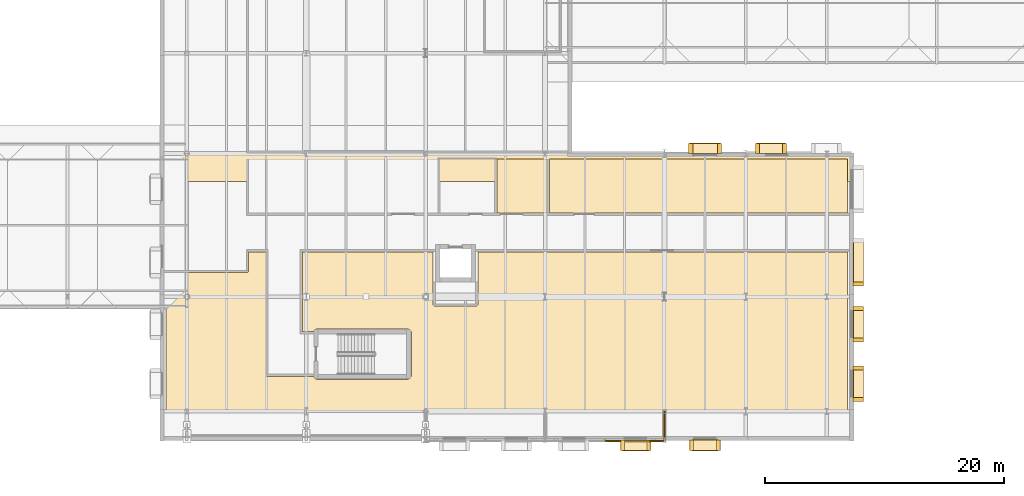
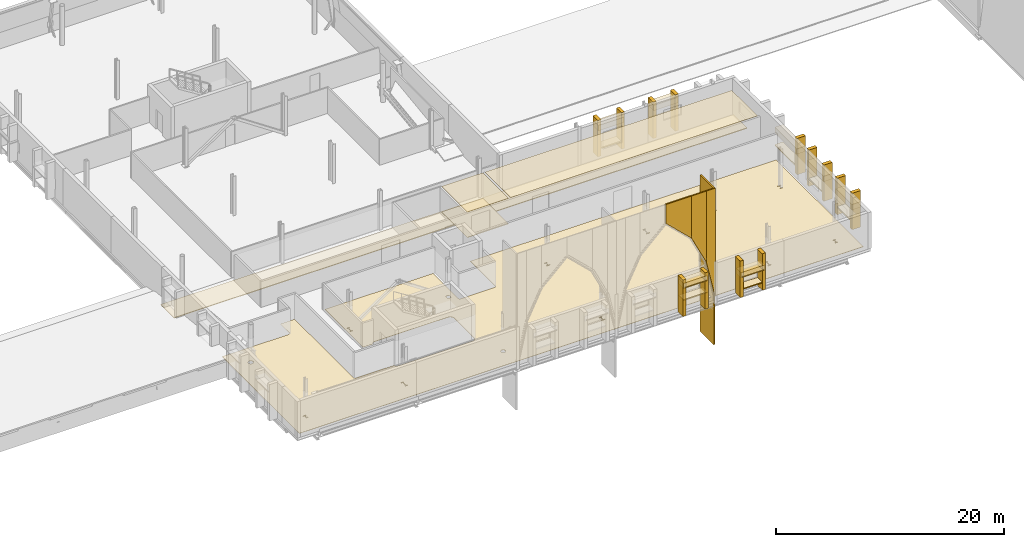
# One storey, part 87 of 90: 36 coverings, 2 shading devices.
"""IFC4 building model written with IfcOpenShell, lengths in metres."""

from ifc_helpers import new_model, si_unit, direction, frame, origin, origin_2d, place, context, subcontext, project, spatial, polyline, rectangle, outline, extrude, material, layer, layer_set, type_object, element, save


model = new_model("IFC4")

# Units and contexts
model_context = context("Model", 3, precision=1e-05, world=origin(), true_north=direction((0.0, 1.0)))
body_context = subcontext(model_context, "Body", "Model", "MODEL_VIEW")
ifc_project = project(units=[si_unit("LENGTHUNIT", "METRE"), si_unit("AREAUNIT", "SQUARE_METRE"), si_unit("VOLUMEUNIT", "CUBIC_METRE"), si_unit("PLANEANGLEUNIT", "RADIAN"), si_unit("MASSUNIT", "GRAM", prefix="KILO")], contexts=[model_context])

# Site, building, storey
site_placement = place(None, origin())
site = spatial("IfcSite", under=ifc_project, at=site_placement, CompositionType="ELEMENT")
building_placement = place(site_placement, origin())
building = spatial("IfcBuilding", under=site, at=building_placement, Name="Zereglee Splitstone Museum", CompositionType="ELEMENT")
storey_placement = place(building_placement, frame((0.0, 0.0, 4.800048828125)))
storey = spatial("IfcBuildingStorey", under=building, at=storey_placement, Name="L01", CompositionType="ELEMENT", Elevation=4.800048828125)

# Coverings
ifc_material_1 = material(Name="Perforated acoustic gypsum board ceiling", Category="masonry")
ifc_layer_1 = layer(ifc_material_1, 0.044921875)
ifc_layer_set_1 = layer_set([ifc_layer_1], Name="Perforated acoustic gypsum board ceiling")
covering_type_1 = type_object("IfcCoveringType", Name="CLG-02", PredefinedType="CEILING", material=ifc_layer_set_1)
covering_1_placement = place(storey_placement, frame((0.0, 0.0, 2.71484375)))
element("IfcCovering", 1, at=covering_1_placement, inside=storey, type_object=covering_type_1, Name="Acoustic Ceiling L01-031", PredefinedType="CEILING", context=body_context, shape_type="SweptSolid", body=[
    extrude(outline(polyline([(205.56005859375, 21.139892578125), (230.5400390625, 21.139892578125), (230.5400390625, 16.6298828125), (205.56005859375, 16.6298828125), (205.56005859375, 21.139892578125)])), origin(), (0.0, 0.0, 1.0), 0.045166015625),
])
ifc_material_2 = material(Name="Siberian larch acoustic timber ceiling", Category="wood")
ifc_layer_2 = layer(ifc_material_2, 0.06005859375)
ifc_layer_set_2 = layer_set([ifc_layer_2], Name="Siberian larch acoustic timber ceiling")
covering_type_2 = type_object("IfcCoveringType", Name="CLG-01", PredefinedType="CEILING", material=ifc_layer_set_2)
covering_2_placement = place(storey_placement, frame((0.0, 0.0, 2.699951171875)))
element("IfcCovering", 2, at=covering_2_placement, inside=storey, type_object=covering_type_2, Name="Acoustic Ceiling L01-030", PredefinedType="CEILING", context=body_context, shape_type="SweptSolid", body=[
    extrude(outline(polyline([(201.179931640625, 21.139892578125), (205.360107421875, 21.139892578125), (205.360107421875, 16.6298828125), (201.179931640625, 16.6298828125), (201.179931640625, 21.139892578125)])), origin(), (0.0, 0.0, 1.0), 0.06005859375),
])
ifc_material_3 = material(Name="Honed Gobi pale limestone stringcourse and soffit cladding", Category="masonry")
ifc_layer_3 = layer(ifc_material_3, 0.070068359375)
ifc_layer_set_3 = layer_set([ifc_layer_3], Name="Honed Gobi pale limestone stringcourse and soffit cladding")
covering_type_3 = type_object("IfcCoveringType", Name="CL-02", PredefinedType="CLADDING", material=ifc_layer_set_3)
for number, where, z_axis, x_axis, name in (
    (3, (211.669921875, -2.824951171875, 0.0), (0.0, 0.0, 1.0), (1.0, 0.0, 0.0), "Mughal Window Reveal Stone Pilaster L01-0008L"),
    (4, (213.909912109375, -2.824951171875, 0.0), (0.0, 0.0, 1.0), (1.0, 0.0, 0.0), "Mughal Window Reveal Stone Pilaster L01-0008R"),
):
    element("IfcCovering", number, at=place(storey_placement, frame(where, z_axis=z_axis, x_axis=x_axis)), inside=storey, type_object=covering_type_3, Name=name, PredefinedType="CLADDING", context=body_context, shape_type="SweptSolid", body=[
        extrude(rectangle(XDim=0.340087890625, YDim=0.860107421875, at=origin_2d()), origin(), (0.0, 0.0, 1.0), 3.89990234375),
    ])
covering_3_placement = place(storey_placement, frame((212.7900390625, -2.8349609375, 1.659912109375), z_axis=(0.0, 0.0, 1.0), x_axis=(1.0, 0.0, 0.0)))
element("IfcCovering", 5, at=covering_3_placement, inside=storey, type_object=covering_type_3, Name="Carved Limestone Window Sill L01-0008", PredefinedType="CLADDING", context=body_context, shape_type="SweptSolid", body=[
    extrude(rectangle(XDim=2.43994140625, YDim=0.840087890625, at=origin_2d()), origin(), (0.0, 0.0, 1.0), 0.1201171875),
])
for number, where, z_axis, x_axis, name in (
    (6, (217.47998046875, -2.824951171875, 0.0), (0.0, 0.0, 1.0), (1.0, 0.0, 0.0), "Mughal Window Reveal Stone Pilaster L01-0009L"),
    (7, (219.719970703125, -2.824951171875, 0.0), (0.0, 0.0, 1.0), (1.0, 0.0, 0.0), "Mughal Window Reveal Stone Pilaster L01-0009R"),
):
    element("IfcCovering", number, at=place(storey_placement, frame(where, z_axis=z_axis, x_axis=x_axis)), inside=storey, type_object=covering_type_3, Name=name, PredefinedType="CLADDING", context=body_context, shape_type="SweptSolid", body=[
        extrude(rectangle(XDim=0.340087890625, YDim=0.860107421875, at=origin_2d()), origin(), (0.0, 0.0, 1.0), 3.89990234375),
    ])
covering_4_placement = place(storey_placement, frame((218.60009765625, -2.8349609375, 0.760009765625), z_axis=(0.0, 0.0, 1.0), x_axis=(1.0, 0.0, 0.0)))
element("IfcCovering", 8, at=covering_4_placement, inside=storey, type_object=covering_type_3, Name="Carved Limestone Window Sill L01-0009", PredefinedType="CLADDING", context=body_context, shape_type="SweptSolid", body=[
    extrude(rectangle(XDim=2.43994140625, YDim=0.840087890625, at=origin_2d()), origin(), (0.0, 0.0, 1.0), 0.1201171875),
])
for number, where, z_axis, x_axis, name in (
    (9, (231.425048828125, 0.989990234375, 0.0), (0.0, 0.0, 1.0), (0.0, 1.0, 0.0), "Mughal Window Reveal Stone Pilaster L01-0010L"),
    (10, (231.425048828125, 3.6298828125, 0.0), (0.0, 0.0, 1.0), (0.0, 1.0, 0.0), "Mughal Window Reveal Stone Pilaster L01-0010R"),
):
    element("IfcCovering", number, at=place(storey_placement, frame(where, z_axis=z_axis, x_axis=x_axis)), inside=storey, type_object=covering_type_3, Name=name, PredefinedType="CLADDING", context=body_context, shape_type="SweptSolid", body=[
        extrude(rectangle(XDim=0.340087890625, YDim=0.860107421875, at=origin_2d()), origin(), (0.0, 0.0, 1.0), 3.89990234375),
    ])
covering_5_placement = place(storey_placement, frame((231.43505859375, 2.31005859375, 0.760009765625), z_axis=(0.0, 0.0, 1.0), x_axis=(0.0, 1.0, 0.0)))
element("IfcCovering", 11, at=covering_5_placement, inside=storey, type_object=covering_type_3, Name="Carved Limestone Window Sill L01-0010", PredefinedType="CLADDING", context=body_context, shape_type="SweptSolid", body=[
    extrude(rectangle(XDim=2.840087890625, YDim=0.840087890625, at=origin_2d()), origin(), (0.0, 0.0, 1.0), 0.1201171875),
])
for number, where, z_axis, x_axis, name in (
    (12, (231.425048828125, 5.969970703125, 0.0), (0.0, 0.0, 1.0), (0.0, 1.0, 0.0), "Mughal Window Reveal Stone Pilaster L01-0011L"),
    (13, (231.425048828125, 8.610107421875, 0.0), (0.0, 0.0, 1.0), (0.0, 1.0, 0.0), "Mughal Window Reveal Stone Pilaster L01-0011R"),
):
    element("IfcCovering", number, at=place(storey_placement, frame(where, z_axis=z_axis, x_axis=x_axis)), inside=storey, type_object=covering_type_3, Name=name, PredefinedType="CLADDING", context=body_context, shape_type="SweptSolid", body=[
        extrude(rectangle(XDim=0.340087890625, YDim=0.860107421875, at=origin_2d()), origin(), (0.0, 0.0, 1.0), 3.89990234375),
    ])
covering_6_placement = place(storey_placement, frame((231.43505859375, 7.2900390625, 0.760009765625), z_axis=(0.0, 0.0, 1.0), x_axis=(0.0, 1.0, 0.0)))
element("IfcCovering", 14, at=covering_6_placement, inside=storey, type_object=covering_type_3, Name="Carved Limestone Window Sill L01-0011", PredefinedType="CLADDING", context=body_context, shape_type="SweptSolid", body=[
    extrude(rectangle(XDim=2.840087890625, YDim=0.840087890625, at=origin_2d()), origin(), (0.0, 0.0, 1.0), 0.1201171875),
])
covering_7_placement = place(storey_placement, frame((231.425048828125, 10.659912109375, 0.0), z_axis=(0.0, 0.0, 1.0), x_axis=(0.0, 1.0, 0.0)))
element("IfcCovering", 15, at=covering_7_placement, inside=storey, type_object=covering_type_3, Name="Mughal Window Reveal Stone Pilaster L01-0012L", PredefinedType="CLADDING", context=body_context, shape_type="SweptSolid", body=[
    extrude(rectangle(XDim=0.340087890625, YDim=0.860107421875, at=origin_2d()), origin(), (0.0, 0.0, 1.0), 3.89990234375),
])
covering_8_placement = place(storey_placement, frame((231.43505859375, 12.47998046875, 0.760009765625), z_axis=(0.0, 0.0, 1.0), x_axis=(0.0, 1.0, 0.0)))
element("IfcCovering", 16, at=covering_8_placement, inside=storey, type_object=covering_type_3, Name="Carved Limestone Window Sill L01-0012", PredefinedType="CLADDING", context=body_context, shape_type="SweptSolid", body=[
    extrude(rectangle(XDim=3.840087890625, YDim=0.840087890625, at=origin_2d()), origin(), (0.0, 0.0, 1.0), 0.1201171875),
])
for number, where, z_axis, x_axis, name in (
    (17, (225.25, 22.02490234375, 0.0), (0.0, 0.0, 1.0), (-1.0, 0.0, 0.0), "Mughal Window Reveal Stone Pilaster L01-0015L"),
    (18, (223.010009765625, 22.02490234375, 0.0), (0.0, 0.0, 1.0), (-1.0, 0.0, 0.0), "Mughal Window Reveal Stone Pilaster L01-0015R"),
):
    element("IfcCovering", number, at=place(storey_placement, frame(where, z_axis=z_axis, x_axis=x_axis)), inside=storey, type_object=covering_type_3, Name=name, PredefinedType="CLADDING", context=body_context, shape_type="SweptSolid", body=[
        extrude(rectangle(XDim=0.340087890625, YDim=0.860107421875, at=origin_2d()), origin(), (0.0, 0.0, 1.0), 3.89990234375),
    ])
covering_9_placement = place(storey_placement, frame((224.1298828125, 22.034912109375, 1.659912109375), z_axis=(0.0, 0.0, 1.0), x_axis=(-1.0, 0.0, 0.0)))
element("IfcCovering", 19, at=covering_9_placement, inside=storey, type_object=covering_type_3, Name="Carved Limestone Window Sill L01-0015", PredefinedType="CLADDING", context=body_context, shape_type="SweptSolid", body=[
    extrude(rectangle(XDim=2.43994140625, YDim=0.840087890625, at=origin_2d()), origin(), (0.0, 0.0, 1.0), 0.1201171875),
])
for number, where, z_axis, x_axis, name in (
    (20, (219.794921875, 22.02490234375, 0.0), (0.0, 0.0, 1.0), (-1.0, 0.0, 0.0), "Mughal Window Reveal Stone Pilaster L01-0016L"),
    (21, (217.405029296875, 22.02490234375, 0.0), (0.0, 0.0, 1.0), (-1.0, 0.0, 0.0), "Mughal Window Reveal Stone Pilaster L01-0016R"),
):
    element("IfcCovering", number, at=place(storey_placement, frame(where, z_axis=z_axis, x_axis=x_axis)), inside=storey, type_object=covering_type_3, Name=name, PredefinedType="CLADDING", context=body_context, shape_type="SweptSolid", body=[
        extrude(rectangle(XDim=0.340087890625, YDim=0.860107421875, at=origin_2d()), origin(), (0.0, 0.0, 1.0), 3.89990234375),
    ])
covering_10_placement = place(storey_placement, frame((218.60009765625, 22.034912109375, 0.760009765625), z_axis=(0.0, 0.0, 1.0), x_axis=(-1.0, 0.0, 0.0)))
element("IfcCovering", 22, at=covering_10_placement, inside=storey, type_object=covering_type_3, Name="Carved Limestone Window Sill L01-0016", PredefinedType="CLADDING", context=body_context, shape_type="SweptSolid", body=[
    extrude(rectangle(XDim=2.590087890625, YDim=0.840087890625, at=origin_2d()), origin(), (0.0, 0.0, 1.0), 0.1201171875),
])
covering_11_placement = place(storey_placement, frame((0.0, 0.0, -0.35009765625)))
element("IfcCovering", 23, at=covering_11_placement, inside=storey, type_object=covering_type_3, Name="Hovering Stone Plinth Soffit Apron 008", PredefinedType="CLADDING", context=body_context, shape_type="SweptSolid", body=[
    extrude(outline(polyline([(173.0, 19.25), (231.0, 19.25), (231.0, 21.60009765625), (173.0, 21.60009765625), (173.0, 19.25)])), origin(), (0.0, 0.0, 1.0), 0.070068359375),
])
covering_12_placement = place(storey_placement, frame((0.0, 0.0, -4.800048828125)))
element("IfcCovering", 24, at=covering_12_placement, inside=storey, type_object=covering_type_3, Name="Mughal Iwan Stone Cheek Return PSQ-SV3-2", PredefinedType="CLADDING", context=body_context, shape_type="SweptSolid", body=[
    extrude(outline(polyline([(215.1298828125, -2.39990234375), (215.27001953125, -2.39990234375), (215.27001953125, 0.0), (215.1298828125, 0.0), (215.1298828125, -2.39990234375)])), origin(), (0.0, 0.0, 1.0), 16.72509765625),
])
ifc_material_4 = material(Name="Honed Khoroo red sandstone ventilated rainscreen", Category="masonry")
ifc_layer_4 = layer(ifc_material_4, 0.080078125)
ifc_layer_set_4 = layer_set([ifc_layer_4], Name="Honed Khoroo red sandstone ventilated rainscreen")
covering_type_4 = type_object("IfcCoveringType", Name="CL-01", PredefinedType="CLADDING", material=ifc_layer_set_4)
for number, where, z_axis, x_axis, name in (
    (25, (212.7900390625, -2.8349609375, 2.9599609375), (0.0, 0.0, 1.0), (1.0, 0.0, 0.0), "Pointed-Arch Mughal Window Hood L01-0008"),
    (26, (218.60009765625, -2.8349609375, 2.059814453125), (0.0, 0.0, 1.0), (1.0, 0.0, 0.0), "Pointed-Arch Mughal Window Hood L01-0009"),
):
    element("IfcCovering", number, at=place(storey_placement, frame(where, z_axis=z_axis, x_axis=x_axis)), inside=storey, type_object=covering_type_4, Name=name, PredefinedType="CLADDING", context=body_context, shape_type="SweptSolid", body=[
        extrude(rectangle(XDim=2.43994140625, YDim=0.860107421875, at=origin_2d()), origin(), (0.0, 0.0, 1.0), 0.580078125),
    ])
for number, where, z_axis, x_axis, name in (
    (27, (231.43505859375, 2.31005859375, 2.059814453125), (0.0, 0.0, 1.0), (0.0, 1.0, 0.0), "Pointed-Arch Mughal Window Hood L01-0010"),
    (28, (231.43505859375, 7.2900390625, 2.059814453125), (0.0, 0.0, 1.0), (0.0, 1.0, 0.0), "Pointed-Arch Mughal Window Hood L01-0011"),
):
    element("IfcCovering", number, at=place(storey_placement, frame(where, z_axis=z_axis, x_axis=x_axis)), inside=storey, type_object=covering_type_4, Name=name, PredefinedType="CLADDING", context=body_context, shape_type="SweptSolid", body=[
        extrude(rectangle(XDim=2.840087890625, YDim=0.860107421875, at=origin_2d()), origin(), (0.0, 0.0, 1.0), 0.580078125),
    ])
covering_13_placement = place(storey_placement, frame((231.43505859375, 12.47998046875, 2.159912109375), z_axis=(0.0, 0.0, 1.0), x_axis=(0.0, 1.0, 0.0)))
element("IfcCovering", 29, at=covering_13_placement, inside=storey, type_object=covering_type_4, Name="Pointed-Arch Mughal Window Hood L01-0012", PredefinedType="CLADDING", context=body_context, shape_type="SweptSolid", body=[
    extrude(rectangle(XDim=3.840087890625, YDim=0.860107421875, at=origin_2d()), origin(), (0.0, 0.0, 1.0), 0.580078125),
])
covering_14_placement = place(storey_placement, frame((224.1298828125, 22.034912109375, 2.9599609375), z_axis=(0.0, 0.0, 1.0), x_axis=(-1.0, 0.0, 0.0)))
element("IfcCovering", 30, at=covering_14_placement, inside=storey, type_object=covering_type_4, Name="Pointed-Arch Mughal Window Hood L01-0015", PredefinedType="CLADDING", context=body_context, shape_type="SweptSolid", body=[
    extrude(rectangle(XDim=2.43994140625, YDim=0.860107421875, at=origin_2d()), origin(), (0.0, 0.0, 1.0), 0.580078125),
])
covering_15_placement = place(storey_placement, frame((218.60009765625, 22.034912109375, 2.760009765625), z_axis=(0.0, 0.0, 1.0), x_axis=(-1.0, 0.0, 0.0)))
element("IfcCovering", 31, at=covering_15_placement, inside=storey, type_object=covering_type_4, Name="Pointed-Arch Mughal Window Hood L01-0016", PredefinedType="CLADDING", context=body_context, shape_type="SweptSolid", body=[
    extrude(rectangle(XDim=2.590087890625, YDim=0.860107421875, at=origin_2d()), origin(), (0.0, 0.0, 1.0), 0.580078125),
])
covering_16_placement = place(storey_placement, frame((210.199951171875, -2.5400390625, 10.0), z_axis=(0.0, -1.0, 0.0), x_axis=(0.721387321031, 0.0, -0.69253182819)))
element("IfcCovering", 32, at=covering_16_placement, inside=storey, type_object=covering_type_4, Name="Mughal Pishtaq Pointed-Arch Stone Voussoir PSQ-SV3-2-4", PredefinedType="CLADDING", context=body_context, shape_type="SweptSolid", body=[
    extrude(outline(polyline([(0.0, 0.0), (3.6043018506814617, 0.0), (0.4803002419262521, 3.254168342453343), (-1.3953772407347915, 1.453517959098741), (0.0, 0.0)])), origin(), (0.0, 0.0, -1.0), 0.1201171875),
])
covering_17_placement = place(storey_placement, frame((212.800048828125, -2.5400390625, 7.50390625), z_axis=(0.0, -1.0, 0.0), x_axis=(0.438766908304, 0.0, -0.898600912629)))
element("IfcCovering", 33, at=covering_17_placement, inside=storey, type_object=covering_type_4, Name="Mughal Pishtaq Pointed-Arch Stone Voussoir PSQ-SV3-2-5", PredefinedType="CLADDING", context=body_context, shape_type="SweptSolid", body=[
    extrude(outline(polyline([(0.0, 0.0), (3.418671671930719, 0.0), (-3.3954260688527245, 3.327172893536794), (-4.05357643130894, 1.9792715245936683), (0.0, 0.0)])), origin(), (0.0, 0.0, -1.0), 0.1201171875),
])
covering_18_placement = place(storey_placement, frame((214.300048828125, -2.5400390625, 4.431884765625), z_axis=(0.0, -1.0, 0.0), x_axis=(0.217831420339, 0.0, -0.975986409902)))
element("IfcCovering", 34, at=covering_18_placement, inside=storey, type_object=covering_type_4, Name="Mughal Pishtaq Pointed-Arch Stone Voussoir PSQ-SV3-2-6", PredefinedType="CLADDING", context=body_context, shape_type="SweptSolid", body=[
    extrude(outline(polyline([(0.0, 0.0), (4.1311870544185885, 1.1102230246251565e-16), (-7.204885565474124, 2.530109819977265), (-7.400912571179562, 1.6518173622384416), (0.0, 0.0)])), origin(), (0.0, 0.0, -1.0), 0.1201171875),
])
ifc_material_5 = material(Name="Honed Gobi granite terrazzo flooring", Category="masonry")
ifc_layer_5 = layer(ifc_material_5, 0.030029296875)
ifc_layer_set_5 = layer_set([ifc_layer_5], Name="Honed Gobi granite terrazzo flooring")
covering_type_5 = type_object("IfcCoveringType", Name="FLR-01", PredefinedType="FLOORING", material=ifc_layer_set_5)
covering_19_placement = place(storey_placement, origin())
element("IfcCovering", 35, at=covering_19_placement, inside=storey, type_object=covering_type_5, Name="Terrazzo Gallery Flooring L01-017", PredefinedType="FLOORING", context=body_context, shape_type="SweptSolid", body=[
    extrude(outline(polyline([(184.8798828125, 13.3701171875), (195.820068359375, 13.3701171875), (195.820068359375, 9.0), (195.820068359375, 8.9990234375), (195.82080078125, 8.9833984375), (195.821044921875, 8.9814453125), (195.8232421875, 8.9658203125), (195.82373046875, 8.9638671875), (195.827392578125, 8.94873046875), (195.828125, 8.94677734375), (195.833251953125, 8.931884765625), (195.833984375, 8.93017578125), (195.8408203125, 8.916015625), (195.841796875, 8.914306640625), (195.849853515625, 8.90087890625), (195.850830078125, 8.899169921875), (195.8603515625, 8.88671875), (195.861572265625, 8.885009765625), (195.8720703125, 8.873291015625), (195.873291015625, 8.8720703125), (195.885009765625, 8.861572265625), (195.88671875, 8.8603515625), (195.899169921875, 8.850830078125), (195.90087890625, 8.849853515625), (195.914306640625, 8.841796875), (195.916015625, 8.8408203125), (195.93017578125, 8.833984375), (195.931884765625, 8.833251953125), (195.94677734375, 8.828125), (195.94873046875, 8.827392578125), (195.9638671875, 8.82373046875), (195.9658203125, 8.8232421875), (195.9814453125, 8.821044921875), (195.9833984375, 8.82080078125), (195.9990234375, 8.820068359375), (196.0, 8.820068359375), (199.39990234375, 8.820068359375), (199.40087890625, 8.820068359375), (199.416748046875, 8.82080078125), (199.418701171875, 8.821044921875), (199.43408203125, 8.8232421875), (199.43603515625, 8.82373046875), (199.451416015625, 8.827392578125), (199.453125, 8.828125), (199.468017578125, 8.833251953125), (199.4697265625, 8.833984375), (199.48388671875, 8.8408203125), (199.485595703125, 8.841796875), (199.499267578125, 8.849853515625), (199.500732421875, 8.850830078125), (199.513427734375, 8.8603515625), (199.514892578125, 8.861572265625), (199.526611328125, 8.8720703125), (199.528076171875, 8.873291015625), (199.53857421875, 8.885009765625), (199.539794921875, 8.88671875), (199.549072265625, 8.899169921875), (199.55029296875, 8.90087890625), (199.558349609375, 8.914306640625), (199.55908203125, 8.916015625), (199.56591796875, 8.93017578125), (199.566650390625, 8.931884765625), (199.572021484375, 8.94677734375), (199.572509765625, 8.94873046875), (199.576416015625, 8.9638671875), (199.57666015625, 8.9658203125), (199.5791015625, 8.9814453125), (199.5791015625, 8.9833984375), (199.580078125, 8.9990234375), (199.580078125, 9.0), (199.580078125, 13.3701171875), (230.5400390625, 13.3701171875), (230.5400390625, -1.93994140625), (173.4599609375, -1.93994140625), (173.4599609375, 11.6201171875), (180.199951171875, 11.6201171875), (180.200927734375, 11.6201171875), (180.216796875, 11.620849609375), (180.218505859375, 11.62109375), (180.234130859375, 11.623291015625), (180.236083984375, 11.623779296875), (180.251220703125, 11.62744140625), (180.253173828125, 11.628173828125), (180.26806640625, 11.63330078125), (180.269775390625, 11.634033203125), (180.283935546875, 11.640869140625), (180.28564453125, 11.6416015625), (180.29931640625, 11.64990234375), (180.30078125, 11.65087890625), (180.3134765625, 11.660400390625), (180.31494140625, 11.66162109375), (180.32666015625, 11.672119140625), (180.327880859375, 11.67333984375), (180.33837890625, 11.68505859375), (180.339599609375, 11.6865234375), (180.34912109375, 11.69921875), (180.35009765625, 11.70068359375), (180.3583984375, 11.71435546875), (180.359130859375, 11.716064453125), (180.365966796875, 11.730224609375), (180.36669921875, 11.73193359375), (180.371826171875, 11.746826171875), (180.37255859375, 11.748779296875), (180.376220703125, 11.763916015625), (180.376708984375, 11.765869140625), (180.37890625, 11.781494140625), (180.379150390625, 11.783203125), (180.3798828125, 11.799072265625), (180.3798828125, 11.800048828125), (180.3798828125, 13.3701171875), (181.820068359375, 13.3701171875), (181.820068359375, 3.10009765625), (181.820068359375, 3.09912109375), (181.82080078125, 3.083251953125), (181.821044921875, 3.081298828125), (181.8232421875, 3.06591796875), (181.82373046875, 3.06396484375), (181.827392578125, 3.048583984375), (181.828125, 3.046875), (181.833251953125, 3.031982421875), (181.833984375, 3.0302734375), (181.8408203125, 3.01611328125), (181.841796875, 3.014404296875), (181.849853515625, 3.000732421875), (181.850830078125, 2.999267578125), (181.8603515625, 2.986572265625), (181.861572265625, 2.985107421875), (181.8720703125, 2.973388671875), (181.873291015625, 2.971923828125), (181.885009765625, 2.96142578125), (181.88671875, 2.960205078125), (181.899169921875, 2.950927734375), (181.90087890625, 2.94970703125), (181.914306640625, 2.941650390625), (181.916015625, 2.94091796875), (181.93017578125, 2.93408203125), (181.931884765625, 2.933349609375), (181.94677734375, 2.927978515625), (181.94873046875, 2.927490234375), (181.9638671875, 2.923583984375), (181.9658203125, 2.92333984375), (181.9814453125, 2.9208984375), (181.9833984375, 2.9208984375), (181.9990234375, 2.919921875), (182.0, 2.919921875), (185.821044921875, 2.919921875), (185.82958984375, 2.902099609375), (185.850830078125, 2.86669921875), (185.875244140625, 2.83349609375), (185.903076171875, 2.802978515625), (185.93359375, 2.775390625), (185.966796875, 2.750732421875), (186.001953125, 2.7294921875), (186.039306640625, 2.7119140625), (186.078125, 2.697998046875), (186.1181640625, 2.68798828125), (186.15869140625, 2.681884765625), (186.199951171875, 2.679931640625), (193.60009765625, 2.679931640625), (193.64111328125, 2.681884765625), (193.681884765625, 2.68798828125), (193.721923828125, 2.697998046875), (193.7607421875, 2.7119140625), (193.798095703125, 2.7294921875), (193.833251953125, 2.750732421875), (193.866455078125, 2.775390625), (193.89697265625, 2.802978515625), (193.9248046875, 2.83349609375), (193.94921875, 2.86669921875), (193.970458984375, 2.902099609375), (193.988037109375, 2.939208984375), (194.001953125, 2.97802734375), (194.011962890625, 3.01806640625), (194.01806640625, 3.058837890625), (194.02001953125, 3.10009765625), (194.02001953125, 6.5), (194.01806640625, 6.541259765625), (194.011962890625, 6.581787109375), (194.001953125, 6.621826171875), (193.988037109375, 6.66064453125), (193.970458984375, 6.697998046875), (193.94921875, 6.7333984375), (193.9248046875, 6.766357421875), (193.89697265625, 6.797119140625), (193.866455078125, 6.82470703125), (193.833251953125, 6.84912109375), (193.798095703125, 6.870361328125), (193.7607421875, 6.887939453125), (193.721923828125, 6.90185546875), (193.681884765625, 6.911865234375), (193.64111328125, 6.91796875), (193.60009765625, 6.919921875), (186.199951171875, 6.919921875), (186.15869140625, 6.91796875), (186.1181640625, 6.911865234375), (186.078125, 6.90185546875), (186.039306640625, 6.887939453125), (186.001953125, 6.870361328125), (185.966796875, 6.84912109375), (185.93359375, 6.82470703125), (185.903076171875, 6.797119140625), (185.875244140625, 6.766357421875), (185.850830078125, 6.7333984375), (185.82958984375, 6.697998046875), (185.821044921875, 6.679931640625), (184.8798828125, 6.679931640625), (184.8798828125, 13.3701171875)]), holes=[polyline([(175.35791015625, 0.18798828125), (175.0419921875, 0.18798828125), (175.0419921875, 0.1494140625), (175.185791015625, 0.1494140625), (175.185791015625, -0.1494140625), (175.0419921875, -0.1494140625), (175.0419921875, -0.18798828125), (175.35791015625, -0.18798828125), (175.35791015625, -0.1494140625), (175.214111328125, -0.1494140625), (175.214111328125, 0.1494140625), (175.35791015625, 0.1494140625), (175.35791015625, 0.18798828125)]), polyline([(175.29052734375, 9.381591796875), (175.331298828125, 9.4033203125), (175.3671875, 9.432861328125), (175.396484375, 9.468505859375), (175.41845703125, 9.509521484375), (175.431884765625, 9.553955078125), (175.4365234375, 9.60009765625), (175.431884765625, 9.64599609375), (175.41845703125, 9.6904296875), (175.396484375, 9.7314453125), (175.3671875, 9.76708984375), (175.331298828125, 9.796630859375), (175.29052734375, 9.818603515625), (175.24609375, 9.83203125), (175.199951171875, 9.83642578125), (175.15380859375, 9.83203125), (175.109619140625, 9.818603515625), (175.068603515625, 9.796630859375), (175.03271484375, 9.76708984375), (175.00341796875, 9.7314453125), (174.9814453125, 9.6904296875), (174.968017578125, 9.64599609375), (174.96337890625, 9.60009765625), (174.968017578125, 9.553955078125), (174.9814453125, 9.509521484375), (175.00341796875, 9.468505859375), (175.03271484375, 9.432861328125), (175.068603515625, 9.4033203125), (175.109619140625, 9.381591796875), (175.15380859375, 9.367919921875), (175.199951171875, 9.363525390625), (175.24609375, 9.367919921875), (175.29052734375, 9.381591796875)]), polyline([(228.9580078125, 0.23291015625), (228.64208984375, 0.23291015625), (228.64208984375, 0.19091796875), (228.784912109375, 0.19091796875), (228.784912109375, -0.19091796875), (228.64208984375, -0.19091796875), (228.64208984375, -0.23291015625), (228.9580078125, -0.23291015625), (228.9580078125, -0.19091796875), (228.81494140625, -0.19091796875), (228.81494140625, 0.19091796875), (228.9580078125, 0.19091796875), (228.9580078125, 0.23291015625)]), polyline([(215.0419921875, 0.157958984375), (215.0419921875, -0.157958984375), (215.35791015625, -0.157958984375), (215.35791015625, 0.157958984375), (215.0419921875, 0.157958984375)]), polyline([(205.35791015625, 0.258056640625), (205.0419921875, 0.258056640625), (205.0419921875, 0.214111328125), (205.184814453125, 0.214111328125), (205.184814453125, -0.214111328125), (205.0419921875, -0.214111328125), (205.0419921875, -0.258056640625), (205.35791015625, -0.258056640625), (205.35791015625, -0.214111328125), (205.215087890625, -0.214111328125), (205.215087890625, 0.214111328125), (205.35791015625, 0.214111328125), (205.35791015625, 0.258056640625)]), polyline([(185.35791015625, 0.30810546875), (185.0419921875, 0.30810546875), (185.0419921875, 0.261962890625), (185.18408203125, 0.261962890625), (185.18408203125, -0.261962890625), (185.0419921875, -0.261962890625), (185.0419921875, -0.30810546875), (185.35791015625, -0.30810546875), (185.35791015625, -0.261962890625), (185.2158203125, -0.261962890625), (185.2158203125, 0.261962890625), (185.35791015625, 0.261962890625), (185.35791015625, 0.30810546875)]), polyline([(222.157958984375, 0.261962890625), (222.157958984375, 0.30810546875), (221.842041015625, 0.30810546875), (221.842041015625, 0.261962890625), (221.984375, 0.261962890625), (221.984375, -0.261962890625), (221.842041015625, -0.261962890625), (221.842041015625, -0.30810546875), (222.157958984375, -0.30810546875), (222.157958984375, -0.261962890625), (222.015625, -0.261962890625), (222.015625, 0.261962890625), (222.157958984375, 0.261962890625)]), polyline([(195.2412109375, -0.20703125), (195.28076171875, -0.195068359375), (195.3173828125, -0.175537109375), (195.349365234375, -0.1494140625), (195.37548828125, -0.1171875), (195.39501953125, -0.080810546875), (195.406982421875, -0.041259765625), (195.4111328125, 0.0), (195.406982421875, 0.041259765625), (195.39501953125, 0.080810546875), (195.37548828125, 0.1171875), (195.349365234375, 0.1494140625), (195.3173828125, 0.175537109375), (195.28076171875, 0.195068359375), (195.2412109375, 0.20703125), (195.199951171875, 0.211181640625), (195.15869140625, 0.20703125), (195.119140625, 0.195068359375), (195.082763671875, 0.175537109375), (195.05078125, 0.1494140625), (195.0244140625, 0.1171875), (195.0048828125, 0.080810546875), (194.992919921875, 0.041259765625), (194.98876953125, 0.0), (194.992919921875, -0.041259765625), (195.0048828125, -0.080810546875), (195.0244140625, -0.1171875), (195.05078125, -0.1494140625), (195.082763671875, -0.175537109375), (195.119140625, -0.195068359375), (195.15869140625, -0.20703125), (195.199951171875, -0.211181640625), (195.2412109375, -0.20703125)]), polyline([(215.35791015625, 9.9580078125), (215.0419921875, 9.9580078125), (215.0419921875, 9.909912109375), (215.18359375, 9.909912109375), (215.18359375, 9.2900390625), (215.0419921875, 9.2900390625), (215.0419921875, 9.241943359375), (215.35791015625, 9.241943359375), (215.35791015625, 9.2900390625), (215.216552734375, 9.2900390625), (215.216552734375, 9.909912109375), (215.35791015625, 9.909912109375), (215.35791015625, 9.9580078125)]), polyline([(205.35791015625, 9.8330078125), (205.0419921875, 9.8330078125), (205.0419921875, 9.791015625), (205.18505859375, 9.791015625), (205.18505859375, 9.408935546875), (205.0419921875, 9.408935546875), (205.0419921875, 9.366943359375), (205.35791015625, 9.366943359375), (205.35791015625, 9.408935546875), (205.215087890625, 9.408935546875), (205.215087890625, 9.791015625), (205.35791015625, 9.791015625), (205.35791015625, 9.8330078125)]), polyline([(222.157958984375, 9.883056640625), (221.842041015625, 9.883056640625), (221.842041015625, 9.837890625), (221.984619140625, 9.837890625), (221.984619140625, 9.362060546875), (221.842041015625, 9.362060546875), (221.842041015625, 9.31689453125), (222.157958984375, 9.31689453125), (222.157958984375, 9.362060546875), (222.015380859375, 9.362060546875), (222.015380859375, 9.837890625), (222.157958984375, 9.837890625), (222.157958984375, 9.883056640625)]), polyline([(228.9580078125, 9.80810546875), (228.64208984375, 9.80810546875), (228.64208984375, 9.76806640625), (228.785400390625, 9.76806640625), (228.785400390625, 9.431884765625), (228.64208984375, 9.431884765625), (228.64208984375, 9.39208984375), (228.9580078125, 9.39208984375), (228.9580078125, 9.431884765625), (228.814697265625, 9.431884765625), (228.814697265625, 9.76806640625), (228.9580078125, 9.76806640625), (228.9580078125, 9.80810546875)]), polyline([(195.01708984375, 9.782958984375), (195.01708984375, 9.4169921875), (195.383056640625, 9.4169921875), (195.383056640625, 9.782958984375), (195.01708984375, 9.782958984375)]), polyline([(185.35791015625, 9.883056640625), (185.0419921875, 9.883056640625), (185.0419921875, 9.837890625), (185.1845703125, 9.837890625), (185.1845703125, 9.362060546875), (185.0419921875, 9.362060546875), (185.0419921875, 9.31689453125), (185.35791015625, 9.31689453125), (185.35791015625, 9.362060546875), (185.215576171875, 9.362060546875), (185.215576171875, 9.837890625), (185.35791015625, 9.837890625), (185.35791015625, 9.883056640625)])]), origin(), (0.0, 0.0, 1.0), 0.030029296875),
])
covering_20_placement = place(storey_placement, origin())
element("IfcCovering", 36, at=covering_20_placement, inside=storey, type_object=covering_type_5, Name="Terrazzo Gallery Flooring L01-019", PredefinedType="FLOORING", context=body_context, shape_type="SweptSolid", body=[
    extrude(outline(polyline([(201.179931640625, 21.139892578125), (205.360107421875, 21.139892578125), (205.360107421875, 16.6298828125), (201.179931640625, 16.6298828125), (201.179931640625, 21.139892578125)])), origin(), (0.0, 0.0, 1.0), 0.030029296875),
])

# Shading devices
ifc_material_6 = material(Name="Anodised bronze extruded aluminium chhajja brise-soleil", Category="aluminium")
ifc_layer_6 = layer(ifc_material_6, 0.080078125)
ifc_layer_set_6 = layer_set([ifc_layer_6], Name="Anodised bronze extruded aluminium chhajja brise-soleil")
shading_device_type = type_object("IfcShadingDeviceType", Name="SH-01", PredefinedType="SHUTTER", material=ifc_layer_set_6)
for number, where, z_axis, x_axis, name in (
    (37, (212.7900390625, -2.8349609375, 3.039794921875), (0.0, 0.0, 1.0), (1.0, 0.0, 0.0), "Chhajja Window Brise-Soleil 08"),
    (38, (218.60009765625, -2.8349609375, 2.139892578125), (0.0, 0.0, 1.0), (1.0, 0.0, 0.0), "Chhajja Window Brise-Soleil 09"),
):
    element("IfcShadingDevice", number, at=place(storey_placement, frame(where, z_axis=z_axis, x_axis=x_axis)), inside=storey, type_object=shading_device_type, Name=name, PredefinedType="SHUTTER", context=body_context, shape_type="SweptSolid", body=[
        extrude(rectangle(XDim=2.199951171875, YDim=0.97998046875, at=origin_2d()), origin(), (0.0, 0.0, 1.0), 0.080078125),
    ])

save(model, "model.ifc")
